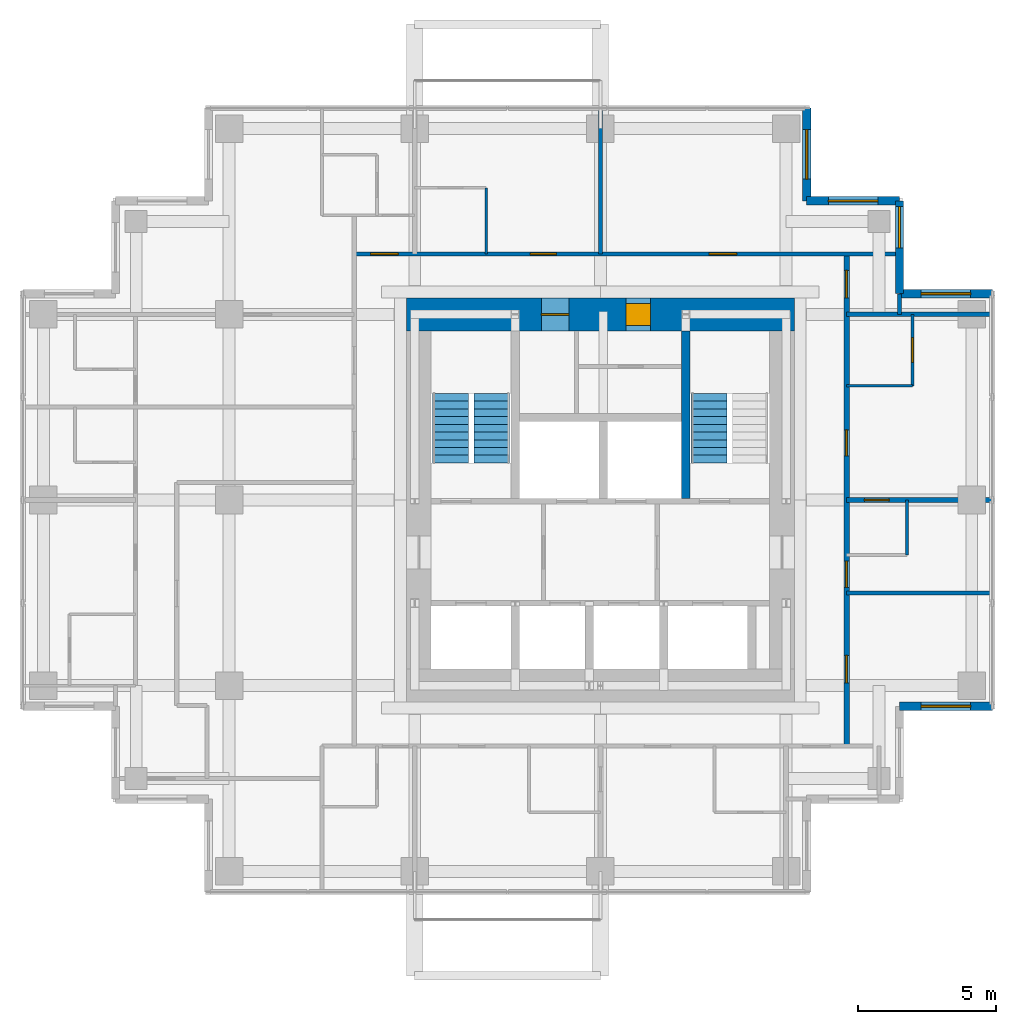
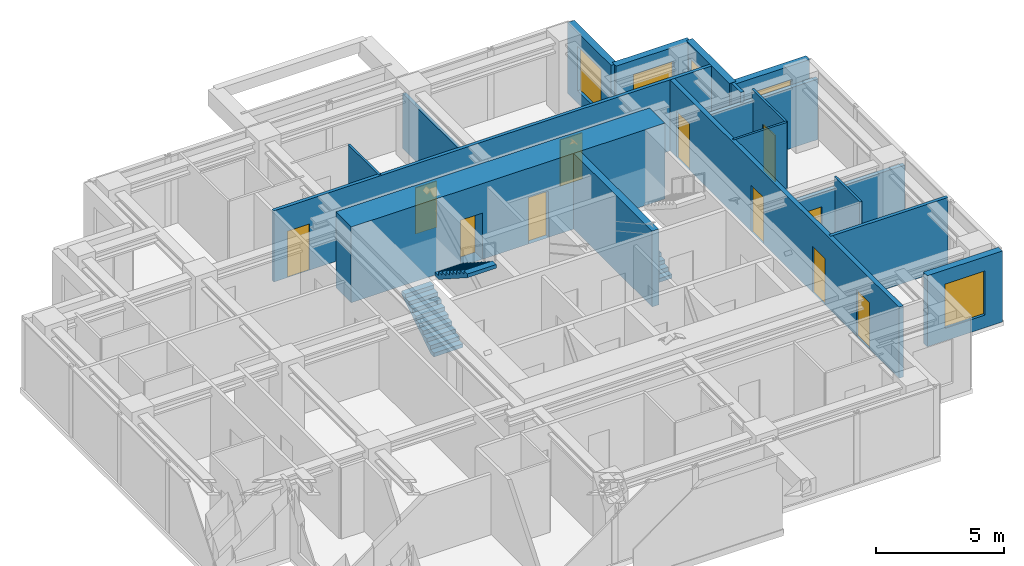
# One storey, part 6 of 8: 18 walls, 11 doors, 5 windows, 3 stair flights, 16 openings, 2 elements without a shape of their own.
"""IFC4 building model written with IfcOpenShell, lengths in metres."""

import ifcopenshell
import ifcopenshell.guid

model = None  # the IFC model being written
_history = None  # IfcOwnerHistory: only IFC2X3 demands one
_inside = {}  # id of a spatial element -> (the spatial element, [elements in it])
_under = {}  # id of a project, library or spatial element -> (it, [spatial elements below it])
_declared = {}  # id of a project -> (the project, [libraries it declares])
_typed = {}  # id of a type object -> (the type object, [elements of that type])
_made_of = {}  # id of a material, layer set ... -> (it, [elements and type objects made of it])


def new_model(schema):
    """Start an empty IFC model of exactly this schema.

    Asked for "IFC4X3", IfcOpenShell would pick the latest addendum, in which some entities
    have other attributes; the version numbers below select the first issue.
    IFC2X3 requires an IfcOwnerHistory on every rooted entity: one is made here for all.
    """
    global model, _history
    if schema == "IFC4X3":
        model = ifcopenshell.file(schema_version=(4, 3, 0, 0))
    else:
        model = ifcopenshell.file(schema=schema)
    _inside.clear()
    _under.clear()
    _declared.clear()
    _typed.clear()
    _made_of.clear()
    _history = None
    if model.schema == "IFC2X3":
        org = make("IfcOrganization", Name="unknown")
        user = make(
            "IfcPersonAndOrganization",
            ThePerson=make("IfcPerson", FamilyName="unknown"),
            TheOrganization=org,
        )
        app = make(
            "IfcApplication",
            ApplicationDeveloper=org,
            Version="unknown",
            ApplicationFullName="unknown",
            ApplicationIdentifier="unknown",
        )
        _history = make(
            "IfcOwnerHistory",
            OwningUser=user,
            OwningApplication=app,
            ChangeAction="ADDED",
            CreationDate=0,
        )
    return model


def make(cls, **values):
    """One entity of the class cls with the attributes given. An attribute that is None is left unset."""
    return model.create_entity(
        cls, **{name: value for name, value in values.items() if value is not None}
    )


def rooted(cls, **values):
    """An entity with a GlobalId (a new one), such as an element, a storey or a relation."""
    return make(cls, GlobalId=ifcopenshell.guid.new(), OwnerHistory=_history, **values)


def si_unit(unit_type, name, prefix=None):
    """IfcSIUnit, for example si_unit("LENGTHUNIT", "METRE", prefix="MILLI")."""
    return make("IfcSIUnit", UnitType=unit_type, Prefix=prefix, Name=name)


def assignment(units):
    """IfcUnitAssignment: the units of a project."""
    return None if units is None else make("IfcUnitAssignment", Units=units)


def point(xyz):
    """IfcCartesianPoint."""
    return None if xyz is None else make("IfcCartesianPoint", Coordinates=xyz)


def direction(xyz):
    """IfcDirection."""
    return None if xyz is None else make("IfcDirection", DirectionRatios=xyz)


def frame(location, z_axis=None, x_axis=None):
    """IfcAxis2Placement3D, a coordinate frame: its origin and axes. An axis left out is left unset."""
    return make(
        "IfcAxis2Placement3D",
        Location=point(location),
        Axis=direction(z_axis),
        RefDirection=direction(x_axis),
    )


def frame_2d(location, x_axis=None):
    """IfcAxis2Placement2D, a coordinate frame in the plane: its origin and x axis."""
    return make(
        "IfcAxis2Placement2D", Location=point(location), RefDirection=direction(x_axis)
    )


def origin():
    """The frame at (0, 0, 0) with its axes left unset."""
    return frame((0.0, 0.0, 0.0))


def place(relative_to, where):
    """IfcLocalPlacement: puts the frame where relative to a parent placement (None: the world)."""
    return make(
        "IfcLocalPlacement", PlacementRelTo=relative_to, RelativePlacement=where
    )


def context(
    kind, dimensions, precision=None, world=None, true_north=None, identifier=None
):
    """IfcGeometricRepresentationContext, for example the 3D "Model" context."""
    return make(
        "IfcGeometricRepresentationContext",
        ContextIdentifier=identifier,
        ContextType=kind,
        CoordinateSpaceDimension=dimensions,
        Precision=precision,
        WorldCoordinateSystem=world,
        TrueNorth=true_north,
    )


def subcontext(parent, identifier, kind, view, scale=None):
    """IfcGeometricRepresentationSubContext, for example "Body" below "Model"."""
    return make(
        "IfcGeometricRepresentationSubContext",
        ContextIdentifier=identifier,
        ContextType=kind,
        ParentContext=parent,
        TargetScale=scale,
        TargetView=view,
    )


def project(units=None, contexts=None):
    """IfcProject with its units and contexts."""
    return rooted(
        "IfcProject",
        Name="project",
        RepresentationContexts=contexts,
        UnitsInContext=assignment(units),
    )


def spatial(cls, under=None, at=None, **own):
    """A site, building, storey or space (cls), placed at a placement, below another one or the project."""
    s = rooted(cls, ObjectPlacement=at, **own)
    if under is not None:
        _under.setdefault(under.id(), (under, []))[1].append(s)
    return s


def polyline(points):
    """IfcPolyline through the points."""
    return make("IfcPolyline", Points=[point(p) for p in points])


def profile(cls, at=None, kind="AREA", **sizes):
    """A parametric profile (cls). Its sizes go by their IFC names, for example OverallWidth=200.0."""
    return make(cls, ProfileType=kind, Position=at, **sizes)


def rectangle(**sizes):
    """IfcRectangleProfileDef."""
    return profile("IfcRectangleProfileDef", **sizes)


def outline(outer, holes=None, kind="AREA"):
    """IfcArbitraryClosedProfileDef: a profile drawn as a closed curve; with holes, ...WithVoids."""
    if holes is None:
        return make("IfcArbitraryClosedProfileDef", ProfileType=kind, OuterCurve=outer)
    return make(
        "IfcArbitraryProfileDefWithVoids",
        ProfileType=kind,
        OuterCurve=outer,
        InnerCurves=holes,
    )


def extrude(swept, where, along, depth):
    """IfcExtrudedAreaSolid: the profile swept, set in the frame where, extruded along a direction by depth."""
    return make(
        "IfcExtrudedAreaSolid",
        SweptArea=swept,
        Position=where,
        ExtrudedDirection=direction(along),
        Depth=depth,
    )


def shape(context_of_items, identifier, shape_type, items):
    """IfcShapeRepresentation: the items that make up one representation, for example the "Body"."""
    return make(
        "IfcShapeRepresentation",
        ContextOfItems=context_of_items,
        RepresentationIdentifier=identifier,
        RepresentationType=shape_type,
        Items=items,
    )


def material(Name=None, Category=None):
    """IfcMaterial."""
    return make("IfcMaterial", Name=Name, Category=Category)


def layer(
    of_material, thickness, ventilated=None, Name=None, Category=None, Priority=None
):
    """IfcMaterialLayer: one layer of a wall or slab, of a material (None: an air gap)."""
    return make(
        "IfcMaterialLayer",
        Material=of_material,
        LayerThickness=thickness,
        IsVentilated=ventilated,
        Name=Name,
        Category=Category,
        Priority=Priority,
    )


def layer_set(layers, Name=None):
    """IfcMaterialLayerSet."""
    return make("IfcMaterialLayerSet", MaterialLayers=layers, LayerSetName=Name)


def made_of(thing, what):
    """Note that an element or type object is made of a material, layer set ...; save() writes the relation."""
    if what is not None:
        _made_of.setdefault(what.id(), (what, []))[1].append(thing)
    return thing


def type_object(cls, material=None, **own):
    """A type object (cls), such as IfcWallType, which elements share."""
    return made_of(rooted(cls, **own), material)


def element(
    cls,
    number,
    at=None,
    inside=None,
    cuts=None,
    type_object=None,
    material=None,
    context=None,
    identifier="Body",
    shape_type=None,
    held_by="IfcProductDefinitionShape",
    body=None,
    shapes=None,
    **own,
):
    """One element of the class cls, such as IfcWall. Its Tag is "e" and its number.

    at: its placement. inside: the storey or other place that contains it. cuts: it is an
    opening in that element (IfcRelVoidsElement). A single representation is given by context,
    identifier, shape_type and body (its items); several are given by shapes. held_by: the class
    of the entity that holds the representations. save() writes the other relations.
    """
    e = rooted(cls, Tag="e%d" % number, ObjectPlacement=at, **own)
    if body is not None:
        shapes = [shape(context, identifier, shape_type, body)]
    if shapes is not None:
        e.Representation = make(held_by, Representations=shapes)
    if inside is not None:
        _inside.setdefault(inside.id(), (inside, []))[1].append(e)
    if cuts is not None:
        rooted(
            "IfcRelVoidsElement", RelatingBuildingElement=cuts, RelatedOpeningElement=e
        )
    if type_object is not None:
        _typed.setdefault(type_object.id(), (type_object, []))[1].append(e)
    return made_of(e, material)


def fill(opening, filler):
    """IfcRelFillsElement: the door or window that sits in an opening."""
    return rooted(
        "IfcRelFillsElement",
        RelatingOpeningElement=opening,
        RelatedBuildingElement=filler,
    )


def aggregate(whole, parts):
    """IfcRelAggregates: a whole, such as a stair, and the parts it consists of."""
    return rooted("IfcRelAggregates", RelatingObject=whole, RelatedObjects=parts)


def save(model, path):
    """Write the relations noted so far, then the file.

    IfcRelAggregates (storeys below a building ...), IfcRelContainedInSpatialStructure (elements
    in a storey), IfcRelDefinesByType, IfcRelAssociatesMaterial and IfcRelDeclares: one each for
    every whole, place, type object, material and project.
    """
    for whole, parts in _under.values():
        aggregate(whole, parts)
    for where, things in _inside.values():
        rooted(
            "IfcRelContainedInSpatialStructure",
            RelatedElements=things,
            RelatingStructure=where,
        )
    for kind, things in _typed.values():
        rooted("IfcRelDefinesByType", RelatedObjects=things, RelatingType=kind)
    for what, things in _made_of.values():
        rooted("IfcRelAssociatesMaterial", RelatedObjects=things, RelatingMaterial=what)
    for by, libraries in _declared.values():
        rooted("IfcRelDeclares", RelatingContext=by, RelatedDefinitions=libraries)
    model.write(path)


model = new_model("IFC4")

# Units and contexts
model_context = context("Model", 3, precision=1e-05, world=origin(), true_north=direction((0.0, 1.0)))
body_context = subcontext(model_context, "Body", "Model", "MODEL_VIEW")
ifc_project = project(units=[si_unit("LENGTHUNIT", "METRE"), si_unit("AREAUNIT", "SQUARE_METRE"), si_unit("VOLUMEUNIT", "CUBIC_METRE"), si_unit("PLANEANGLEUNIT", "RADIAN"), si_unit("MASSUNIT", "GRAM", prefix="KILO")], contexts=[model_context])

# Site, building, storey
site_placement = place(None, origin())
site = spatial("IfcSite", under=ifc_project, at=site_placement, CompositionType="ELEMENT")
building_placement = place(site_placement, origin())
building = spatial("IfcBuilding", under=site, at=building_placement, Name="Nyansa Garden Tower", CompositionType="ELEMENT")
storey_placement = place(building_placement, frame((0.0, 0.0, 229.5)))
storey = spatial("IfcBuildingStorey", under=building, at=storey_placement, Name="L62", CompositionType="ELEMENT", Elevation=229.5)

# Wall, opening, door
ifc_material_1 = material(Name="Dense blockwork, plastered both sides, 55 dB", Category="masonry")
ifc_layer_1 = layer(ifc_material_1, 0.175048828125)
ifc_layer_set_1 = layer_set([ifc_layer_1], Name="Acoustic party wall PW175")
wall_type_1 = type_object("IfcWallType", Name="Acoustic party wall PW175", PredefinedType="PARTITIONING", material=ifc_layer_set_1)
wall_1_placement = place(storey_placement, frame((29.199951171875, 20.25, 0.0), z_axis=(0.0, 0.0, 1.0), x_axis=(1.0, 0.0, 0.0)))
wall_1 = element("IfcWall", 1, at=wall_1_placement, inside=storey, type_object=wall_type_1, Name="Party wall", PredefinedType="PARTITIONING", context=body_context, shape_type="SweptSolid", body=[
    extrude(rectangle(XDim=5.283935546875, YDim=0.175048828125, at=frame_2d((2.64208984375, 0.0))), origin(), (0.0, 0.0, 1.0), 2.876953125),
])
opening_1_placement = place(wall_1_placement, frame((0.64990234375, 0.0, 0.0)))
opening_1 = element("IfcOpeningElement", 2, at=opening_1_placement, cuts=wall_1, Name="Opening D02", PredefinedType="OPENING", context=body_context, shape_type="SweptSolid", body=[
    extrude(rectangle(XDim=0.89990234375, YDim=2.199951171875, at=frame_2d((0.449951171875, 1.10009765625))), frame((0.0, 0.097412109375, 0.0), z_axis=(0.0, -1.0, 0.0), x_axis=(1.0, 0.0, 0.0)), (0.0, 0.0, 1.0), 0.195068359375),
])
ifc_material_2 = material(Name="Timber flush door", Category="wood")
door_type_1 = type_object("IfcDoorType", Name="En-suite door D02 900x2200", OperationType="SINGLE_SWING_RIGHT", PredefinedType="DOOR", material=ifc_material_2)
door_1_placement = place(opening_1_placement, origin())
door_1 = element("IfcDoor", 3, at=door_1_placement, inside=storey, type_object=door_type_1, Name="Door L62-030", OperationType="SINGLE_SWING_RIGHT", OverallHeight=2.199951171875, OverallWidth=0.89990234375, PredefinedType="DOOR", context=body_context, shape_type="SweptSolid", body=[
    extrude(rectangle(XDim=0.89990234375, YDim=2.199951171875, at=frame_2d((0.449951171875, 1.10009765625))), frame((0.0, 0.02490234375, 0.0), z_axis=(0.0, -1.0, 0.0), x_axis=(1.0, 0.0, 0.0)), (0.0, 0.0, 1.0), 0.050048828125),
])
fill(opening_1, door_1)

# Walls
wall_2_placement = place(storey_placement, frame((29.199951171875, 27.0, 0.0), z_axis=(0.0, 0.0, 1.0), x_axis=(1.0, 0.0, 0.0)))
element("IfcWall", 4, at=wall_2_placement, inside=storey, type_object=wall_type_1, Name="Party wall", PredefinedType="PARTITIONING", context=body_context, shape_type="SweptSolid", body=[
    extrude(rectangle(XDim=5.283935546875, YDim=0.175048828125, at=frame_2d((2.64208984375, 0.0))), origin(), (0.0, 0.0, 1.0), 2.876953125),
])
ifc_material_3 = material(Name="Concrete C70/85", Category="concrete")
ifc_layer_2 = layer(ifc_material_3, 0.300048828125)
ifc_layer_set_2 = layer_set([ifc_layer_2], Name="Core inner wall CI300")
wall_type_2 = type_object("IfcWallType", Name="Core inner wall CI300", PredefinedType="SHEAR", material=ifc_layer_set_2)
wall_3_placement = place(storey_placement, frame((23.35009765625, 20.300048828125, 0.0), z_axis=(0.0, 0.0, 1.0), x_axis=(0.0, 1.0, 0.0)))
element("IfcWall", 5, at=wall_3_placement, inside=storey, type_object=wall_type_2, Name="Core inner wall L62", PredefinedType="SHEAR", context=body_context, shape_type="SweptSolid", body=[
    extrude(rectangle(XDim=6.099853515625, YDim=0.300048828125, at=frame_2d((3.0498046875, 0.0))), origin(), (0.0, 0.0, 1.0), 3.60009765625),
])

# Wall, openings, doors
ifc_material_4 = material(Name="Concrete C80/95", Category="concrete")
ifc_layer_3 = layer(ifc_material_4, 1.199951171875)
ifc_layer_set_3 = layer_set([ifc_layer_3], Name="Core wall CW1200")
wall_type_3 = type_object("IfcWallType", Name="Core wall CW1200", PredefinedType="SHEAR", material=ifc_layer_set_3)
wall_4_placement = place(storey_placement, frame((27.300048828125, 27.0, 0.0), z_axis=(0.0, 0.0, 1.0), x_axis=(-1.0, 0.0, 0.0)))
wall_4 = element("IfcWall", 6, at=wall_4_placement, inside=storey, type_object=wall_type_3, Name="Core wall N L62", PredefinedType="SHEAR", context=body_context, shape_type="SweptSolid", body=[
    extrude(rectangle(XDim=14.10009765625, YDim=1.199951171875, at=frame_2d((7.050048828125, 0.0))), origin(), (0.0, 0.0, 1.0), 3.60009765625),
])
opening_2_placement = place(wall_4_placement, frame((5.22509765625, 0.0, 0.0)))
opening_2 = element("IfcOpeningElement", 7, at=opening_2_placement, cuts=wall_4, Name="Opening D15", PredefinedType="OPENING", context=body_context, shape_type="SweptSolid", body=[
    extrude(rectangle(XDim=0.89990234375, YDim=2.199951171875, at=frame_2d((0.449951171875, 1.10009765625))), frame((0.0, 0.60986328125, 0.0), z_axis=(0.0, -1.0, 0.0), x_axis=(1.0, 0.0, 0.0)), (0.0, 0.0, 1.0), 1.219970703125),
])
opening_3_placement = place(wall_4_placement, frame((8.199951171875, 0.0, 0.0)))
opening_3 = element("IfcOpeningElement", 8, at=opening_3_placement, cuts=wall_4, Name="Opening D07", PredefinedType="OPENING", context=body_context, shape_type="SweptSolid", body=[
    extrude(rectangle(XDim=1.0, YDim=2.199951171875, at=frame_2d((0.5, 1.10009765625))), frame((0.0, 0.60986328125, 0.0), z_axis=(0.0, -1.0, 0.0), x_axis=(1.0, 0.0, 0.0)), (0.0, 0.0, 1.0), 1.219970703125),
])
ifc_material_5 = material(Name="Timber flush door, 60 minute fire resisting, self-closing", Category="wood")
door_type_2 = type_object("IfcDoorType", Name="Core room door D15 900x2200", OperationType="SINGLE_SWING_LEFT", PredefinedType="DOOR", material=ifc_material_5)
door_2_placement = place(opening_2_placement, origin())
door_2 = element("IfcDoor", 9, at=door_2_placement, inside=storey, type_object=door_type_2, Name="Core room door", OperationType="SINGLE_SWING_LEFT", OverallHeight=2.199951171875, OverallWidth=0.89990234375, PredefinedType="DOOR", context=body_context, shape_type="SweptSolid", body=[
    extrude(rectangle(XDim=0.89990234375, YDim=2.199951171875, at=frame_2d((0.449951171875, 1.10009765625))), frame((0.0, 0.39990234375, 0.0), z_axis=(0.0, -1.0, 0.0), x_axis=(1.0, 0.0, 0.0)), (0.0, 0.0, 1.0), 0.800048828125),
])
fill(opening_2, door_2)
ifc_material_6 = material(Name="Steel door, 120 minute fire resisting", Category="steel")
door_type_3 = type_object("IfcDoorType", Name="Riser door D07 1000x2200", OperationType="SINGLE_SWING_LEFT", PredefinedType="DOOR", material=ifc_material_6)
door_3_placement = place(opening_3_placement, origin())
door_3 = element("IfcDoor", 10, at=door_3_placement, inside=storey, type_object=door_type_3, Name="Riser and refuse room door", OperationType="SINGLE_SWING_LEFT", OverallHeight=2.199951171875, OverallWidth=1.0, PredefinedType="DOOR", context=body_context, shape_type="SweptSolid", body=[
    extrude(rectangle(XDim=1.0, YDim=2.199951171875, at=frame_2d((0.5, 1.10009765625))), frame((0.0, 0.02490234375, 0.0), z_axis=(0.0, -1.0, 0.0), x_axis=(1.0, 0.0, 0.0)), (0.0, 0.0, 1.0), 0.050048828125),
])
fill(opening_3, door_3)

ifc_material_7 = material(Name="Concrete blockwork, plastered, 60 minute fire resisting", Category="masonry")
ifc_layer_4 = layer(ifc_material_7, 0.199951171875)
ifc_layer_set_4 = layer_set([ifc_layer_4], Name="Corridor wall FW200")
wall_type_4 = type_object("IfcWallType", Name="Corridor wall FW200", PredefinedType="PARTITIONING", material=ifc_layer_set_4)
wall_5_placement = place(storey_placement, frame((29.199951171875, 11.300048828125, 0.0), z_axis=(0.0, 0.0, 1.0), x_axis=(0.0, 1.0, 0.0)))
wall_5 = element("IfcWall", 11, at=wall_5_placement, inside=storey, type_object=wall_type_4, Name="Corridor wall", PredefinedType="PARTITIONING", context=body_context, shape_type="SweptSolid", body=[
    extrude(rectangle(XDim=17.89990234375, YDim=0.199951171875, at=frame_2d((8.949951171875, 0.0))), origin(), (0.0, 0.0, 1.0), 3.375),
])
opening_4_placement = place(wall_5_placement, frame((2.300048828125, 0.0, 0.0)))
opening_4 = element("IfcOpeningElement", 12, at=opening_4_placement, cuts=wall_5, Name="Opening D03", PredefinedType="OPENING", context=body_context, shape_type="SweptSolid", body=[
    extrude(rectangle(XDim=1.0, YDim=2.199951171875, at=frame_2d((0.5, 1.10009765625))), frame((0.0, 0.10986328125, 0.0), z_axis=(0.0, -1.0, 0.0), x_axis=(1.0, 0.0, 0.0)), (0.0, 0.0, 1.0), 0.219970703125),
])
opening_5_placement = place(wall_5_placement, frame((10.550048828125, 0.0, 0.0)))
opening_5 = element("IfcOpeningElement", 13, at=opening_5_placement, cuts=wall_5, Name="Opening D14", PredefinedType="OPENING", context=body_context, shape_type="SweptSolid", body=[
    extrude(rectangle(XDim=0.949951171875, YDim=2.199951171875, at=frame_2d((0.47509765625, 1.10009765625))), frame((0.0, 0.10986328125, 0.0), z_axis=(0.0, -1.0, 0.0), x_axis=(1.0, 0.0, 0.0)), (0.0, 0.0, 1.0), 0.219970703125),
])
opening_6_placement = place(wall_5_placement, frame((5.77490234375, 0.0, 0.0)))
opening_6 = element("IfcOpeningElement", 14, at=opening_6_placement, cuts=wall_5, Name="Opening D14", PredefinedType="OPENING", context=body_context, shape_type="SweptSolid", body=[
    extrude(rectangle(XDim=0.949951171875, YDim=2.199951171875, at=frame_2d((0.47509765625, 1.10009765625))), frame((0.0, 0.10986328125, 0.0), z_axis=(0.0, -1.0, 0.0), x_axis=(1.0, 0.0, 0.0)), (0.0, 0.0, 1.0), 0.219970703125),
])
opening_7_placement = place(wall_5_placement, frame((16.300048828125, 0.0, 0.0)))
opening_7 = element("IfcOpeningElement", 15, at=opening_7_placement, cuts=wall_5, Name="Opening D03", PredefinedType="OPENING", context=body_context, shape_type="SweptSolid", body=[
    extrude(rectangle(XDim=1.0, YDim=2.199951171875, at=frame_2d((0.5, 1.10009765625))), frame((0.0, 0.10986328125, 0.0), z_axis=(0.0, -1.0, 0.0), x_axis=(1.0, 0.0, 0.0)), (0.0, 0.0, 1.0), 0.219970703125),
])
ifc_material_8 = material(Name="Timber flush door, 60 minute fire resisting", Category="wood")
door_type_4 = type_object("IfcDoorType", Name="Cluster entrance door D03 1000x2200", OperationType="SINGLE_SWING_LEFT", PredefinedType="DOOR", material=ifc_material_8)
door_4_placement = place(opening_4_placement, origin())
door_4 = element("IfcDoor", 16, at=door_4_placement, inside=storey, type_object=door_type_4, Name="Door L62-026", OperationType="SINGLE_SWING_LEFT", OverallHeight=2.199951171875, OverallWidth=1.0, PredefinedType="DOOR", context=body_context, shape_type="SweptSolid", body=[
    extrude(rectangle(XDim=1.0, YDim=2.199951171875, at=frame_2d((0.5, 1.10009765625))), frame((0.0, 0.02490234375, 0.0), z_axis=(0.0, -1.0, 0.0), x_axis=(1.0, 0.0, 0.0)), (0.0, 0.0, 1.0), 0.050048828125),
])
fill(opening_4, door_4)
door_5_placement = place(opening_7_placement, origin())
door_5 = element("IfcDoor", 17, at=door_5_placement, inside=storey, type_object=door_type_4, Name="Door L62-031", OperationType="SINGLE_SWING_LEFT", OverallHeight=2.199951171875, OverallWidth=1.0, PredefinedType="DOOR", context=body_context, shape_type="SweptSolid", body=[
    extrude(rectangle(XDim=1.0, YDim=2.199951171875, at=frame_2d((0.5, 1.10009765625))), frame((0.0, 0.02490234375, 0.0), z_axis=(0.0, -1.0, 0.0), x_axis=(1.0, 0.0, 0.0)), (0.0, 0.0, 1.0), 0.050048828125),
])
fill(opening_7, door_5)
ifc_material_9 = material(Name="Timber flush door, 60 minute fire resisting, self-closing", Category="wood")
door_type_5 = type_object("IfcDoorType", Name="Studio entrance door D14 950x2200", OperationType="SINGLE_SWING_LEFT", PredefinedType="DOOR", material=ifc_material_9)
door_6_placement = place(opening_5_placement, origin())
door_6 = element("IfcDoor", 18, at=door_6_placement, inside=storey, type_object=door_type_5, Name="Door L62-027", OperationType="SINGLE_SWING_LEFT", OverallHeight=2.199951171875, OverallWidth=0.949951171875, PredefinedType="DOOR", context=body_context, shape_type="SweptSolid", body=[
    extrude(rectangle(XDim=0.949951171875, YDim=2.199951171875, at=frame_2d((0.47509765625, 1.10009765625))), frame((0.0, 0.02490234375, 0.0), z_axis=(0.0, -1.0, 0.0), x_axis=(1.0, 0.0, 0.0)), (0.0, 0.0, 1.0), 0.050048828125),
])
fill(opening_5, door_6)
door_7_placement = place(opening_6_placement, origin())
door_7 = element("IfcDoor", 19, at=door_7_placement, inside=storey, type_object=door_type_5, Name="Door L62-029", OperationType="SINGLE_SWING_LEFT", OverallHeight=2.199951171875, OverallWidth=0.949951171875, PredefinedType="DOOR", context=body_context, shape_type="SweptSolid", body=[
    extrude(rectangle(XDim=0.949951171875, YDim=2.199951171875, at=frame_2d((0.47509765625, 1.10009765625))), frame((0.0, 0.02490234375, 0.0), z_axis=(0.0, -1.0, 0.0), x_axis=(1.0, 0.0, 0.0)), (0.0, 0.0, 1.0), 0.050048828125),
])
fill(opening_6, door_7)

ifc_material_10 = material(Name="Blockwork, plastered both sides", Category="masonry")
ifc_layer_5 = layer(ifc_material_10, 0.14990234375)
ifc_layer_set_5 = layer_set([ifc_layer_5], Name="Partition PW150")
wall_type_5 = type_object("IfcWallType", Name="Partition PW150", PredefinedType="PARTITIONING", material=ifc_layer_set_5)
wall_6_placement = place(storey_placement, frame((11.300048828125, 29.199951171875, 0.0), z_axis=(0.0, 0.0, 1.0), x_axis=(1.0, 0.0, 0.0)))
wall_6 = element("IfcWall", 20, at=wall_6_placement, inside=storey, type_object=wall_type_5, Name="Partition", PredefinedType="PARTITIONING", context=body_context, shape_type="SweptSolid", body=[
    extrude(rectangle(XDim=19.808837890625, YDim=0.14990234375, at=frame_2d((9.904296875, 0.0))), origin(), (0.0, 0.0, 1.0), 3.375),
])
opening_8_placement = place(wall_6_placement, frame((12.89990234375, 0.0, 0.0)))
opening_8 = element("IfcOpeningElement", 21, at=opening_8_placement, cuts=wall_6, Name="Opening D03", PredefinedType="OPENING", context=body_context, shape_type="SweptSolid", body=[
    extrude(rectangle(XDim=1.0, YDim=2.199951171875, at=frame_2d((0.5, 1.10009765625))), frame((0.0, 0.0849609375, 0.0), z_axis=(0.0, -1.0, 0.0), x_axis=(1.0, 0.0, 0.0)), (0.0, 0.0, 1.0), 0.169921875),
])
opening_9_placement = place(wall_6_placement, frame((6.39990234375, 0.0, 0.0)))
opening_9 = element("IfcOpeningElement", 22, at=opening_9_placement, cuts=wall_6, Name="Opening D14", PredefinedType="OPENING", context=body_context, shape_type="SweptSolid", body=[
    extrude(rectangle(XDim=0.949951171875, YDim=2.199951171875, at=frame_2d((0.47509765625, 1.10009765625))), frame((0.0, 0.0849609375, 0.0), z_axis=(0.0, -1.0, 0.0), x_axis=(1.0, 0.0, 0.0)), (0.0, 0.0, 1.0), 0.169921875),
])
opening_10_placement = place(wall_6_placement, frame((0.60009765625, 0.0, 0.0)))
opening_10 = element("IfcOpeningElement", 23, at=opening_10_placement, cuts=wall_6, Name="Opening D03", PredefinedType="OPENING", context=body_context, shape_type="SweptSolid", body=[
    extrude(rectangle(XDim=1.0, YDim=2.199951171875, at=frame_2d((0.5, 1.10009765625))), frame((0.0, 0.0849609375, 0.0), z_axis=(0.0, -1.0, 0.0), x_axis=(1.0, 0.0, 0.0)), (0.0, 0.0, 1.0), 0.169921875),
])
door_8_placement = place(opening_8_placement, origin())
door_8 = element("IfcDoor", 24, at=door_8_placement, inside=storey, type_object=door_type_4, Name="Door L62-032", OperationType="SINGLE_SWING_LEFT", OverallHeight=2.199951171875, OverallWidth=1.0, PredefinedType="DOOR", context=body_context, shape_type="SweptSolid", body=[
    extrude(rectangle(XDim=1.0, YDim=2.199951171875, at=frame_2d((0.5, 1.10009765625))), frame((0.0, 0.02490234375, 0.0), z_axis=(0.0, -1.0, 0.0), x_axis=(1.0, 0.0, 0.0)), (0.0, 0.0, 1.0), 0.050048828125),
])
fill(opening_8, door_8)
door_9_placement = place(opening_10_placement, origin())
door_9 = element("IfcDoor", 25, at=door_9_placement, inside=storey, type_object=door_type_4, Name="Door L62-037", OperationType="SINGLE_SWING_LEFT", OverallHeight=2.199951171875, OverallWidth=1.0, PredefinedType="DOOR", context=body_context, shape_type="SweptSolid", body=[
    extrude(rectangle(XDim=1.0, YDim=2.199951171875, at=frame_2d((0.5, 1.10009765625))), frame((0.0, 0.02490234375, 0.0), z_axis=(0.0, -1.0, 0.0), x_axis=(1.0, 0.0, 0.0)), (0.0, 0.0, 1.0), 0.050048828125),
])
fill(opening_10, door_9)
door_10_placement = place(opening_9_placement, origin())
door_10 = element("IfcDoor", 26, at=door_10_placement, inside=storey, type_object=door_type_5, Name="Door L62-033", OperationType="SINGLE_SWING_LEFT", OverallHeight=2.199951171875, OverallWidth=0.949951171875, PredefinedType="DOOR", context=body_context, shape_type="SweptSolid", body=[
    extrude(rectangle(XDim=0.949951171875, YDim=2.199951171875, at=frame_2d((0.47509765625, 1.10009765625))), frame((0.0, 0.02490234375, 0.0), z_axis=(0.0, -1.0, 0.0), x_axis=(1.0, 0.0, 0.0)), (0.0, 0.0, 1.0), 0.050048828125),
])
fill(opening_9, door_10)

# Walls
wall_7_placement = place(storey_placement, frame((20.25, 29.199951171875, 0.0), z_axis=(0.0, 0.0, 1.0), x_axis=(0.0, 1.0, 0.0)))
element("IfcWall", 27, at=wall_7_placement, inside=storey, type_object=wall_type_5, Name="Partition", PredefinedType="PARTITIONING", context=body_context, shape_type="SweptSolid", body=[
    extrude(rectangle(XDim=5.283935546875, YDim=0.14990234375, at=frame_2d((2.64208984375, 0.0))), origin(), (0.0, 0.0, 1.0), 2.610107421875),
])
wall_8_placement = place(storey_placement, frame((29.199951171875, 16.875, 0.0), z_axis=(0.0, 0.0, 1.0), x_axis=(1.0, 0.0, 0.0)))
element("IfcWall", 28, at=wall_8_placement, inside=storey, type_object=wall_type_5, Name="Partition", PredefinedType="PARTITIONING", context=body_context, shape_type="SweptSolid", body=[
    extrude(rectangle(XDim=5.283935546875, YDim=0.14990234375, at=frame_2d((2.64208984375, 0.0))), origin(), (0.0, 0.0, 1.0), 3.375),
])
wall_9_placement = place(storey_placement, frame((31.125, 27.0, 0.0), z_axis=(0.0, 0.0, 1.0), x_axis=(0.0, 1.0, 0.0)))
element("IfcWall", 29, at=wall_9_placement, inside=storey, type_object=wall_type_5, Name="Partition", PredefinedType="PARTITIONING", context=body_context, shape_type="SweptSolid", body=[
    extrude(rectangle(XDim=0.73388671875, YDim=0.14990234375, at=frame_2d((0.366943359375, 0.0))), origin(), (0.0, 0.0, 1.0), 3.375),
])

# Wall, opening, window
ifc_material_11 = material(Name="Turquoise glazed tile on concrete blockwork", Category="masonry")
ifc_layer_6 = layer(ifc_material_11, 0.300048828125)
ifc_layer_set_6 = layer_set([ifc_layer_6], Name="Tiled corner wall TW300")
wall_type_6 = type_object("IfcWallType", Name="Tiled corner wall TW300", PredefinedType="SOLIDWALL", material=ifc_layer_set_6)
wall_10_placement = place(storey_placement, frame((34.5, 27.75, 0.0), z_axis=(0.0, 0.0, 1.0), x_axis=(-1.0, 0.0, 0.0)))
wall_10 = element("IfcWall", 30, at=wall_10_placement, inside=storey, type_object=wall_type_6, Name="Tiled corner wall L62", PredefinedType="SOLIDWALL", context=body_context, shape_type="SweptSolid", body=[
    extrude(rectangle(XDim=3.375, YDim=0.300048828125, at=frame_2d((1.6875, 0.0))), origin(), (0.0, 0.0, 1.0), 3.375),
])
opening_11_placement = place(wall_10_placement, frame((0.78759765625, 0.0, 0.60009765625)))
opening_11 = element("IfcOpeningElement", 31, at=opening_11_placement, cuts=wall_10, Name="Opening W2", PredefinedType="OPENING", context=body_context, shape_type="SweptSolid", body=[
    extrude(rectangle(XDim=1.800048828125, YDim=2.10009765625, at=frame_2d((0.89990234375, 1.050048828125))), frame((0.0, 0.159912109375, 0.0), z_axis=(0.0, -1.0, 0.0), x_axis=(1.0, 0.0, 0.0)), (0.0, 0.0, 1.0), 0.320068359375),
])
ifc_material_12 = material(Name="Black aluminium frame, dark tinted double glazing", Category="aluminium")
window_type_1 = type_object("IfcWindowType", Name="Window W2 1800x2100", PartitioningType="SINGLE_PANEL", PredefinedType="WINDOW", material=ifc_material_12)
window_1_placement = place(opening_11_placement, origin())
window_1 = element("IfcWindow", 32, at=window_1_placement, inside=storey, type_object=window_type_1, Name="Corner window L62", OverallHeight=2.10009765625, OverallWidth=1.800048828125, PartitioningType="SINGLE_PANEL", PredefinedType="WINDOW", context=body_context, shape_type="SweptSolid", body=[
    extrude(rectangle(XDim=1.800048828125, YDim=2.10009765625, at=frame_2d((0.89990234375, 1.050048828125))), frame((0.0, 0.030029296875, 0.0), z_axis=(0.0, -1.0, 0.0), x_axis=(1.0, 0.0, 0.0)), (0.0, 0.0, 1.0), 0.06005859375),
])
fill(opening_11, window_1)

wall_11_placement = place(storey_placement, frame((31.125, 27.75, 0.0), z_axis=(0.0, 0.0, 1.0), x_axis=(0.0, 1.0, 0.0)))
wall_11 = element("IfcWall", 33, at=wall_11_placement, inside=storey, type_object=wall_type_6, Name="Tiled corner wall L62", PredefinedType="SOLIDWALL", context=body_context, shape_type="SweptSolid", body=[
    extrude(rectangle(XDim=3.375, YDim=0.300048828125, at=frame_2d((1.6875, 0.0))), origin(), (0.0, 0.0, 1.0), 3.375),
])
opening_12_placement = place(wall_11_placement, frame((1.66259765625, 0.0, 0.89990234375)))
opening_12 = element("IfcOpeningElement", 34, at=opening_12_placement, cuts=wall_11, Name="Opening W1", PredefinedType="OPENING", context=body_context, shape_type="SweptSolid", body=[
    extrude(rectangle(XDim=1.5, YDim=1.800048828125, at=frame_2d((0.75, 0.89990234375))), frame((0.0, 0.159912109375, 0.0), z_axis=(0.0, -1.0, 0.0), x_axis=(1.0, 0.0, 0.0)), (0.0, 0.0, 1.0), 0.320068359375),
])
ifc_material_13 = material(Name="Black aluminium frame, dark tinted double glazing", Category="aluminium")
window_type_2 = type_object("IfcWindowType", Name="Window W1 1500x1800", PartitioningType="SINGLE_PANEL", PredefinedType="WINDOW", material=ifc_material_13)
window_2_placement = place(opening_12_placement, origin())
window_2 = element("IfcWindow", 35, at=window_2_placement, inside=storey, type_object=window_type_2, Name="Corner window L62", OverallHeight=1.800048828125, OverallWidth=1.5, PartitioningType="SINGLE_PANEL", PredefinedType="WINDOW", context=body_context, shape_type="SweptSolid", body=[
    extrude(rectangle(XDim=1.5, YDim=1.800048828125, at=frame_2d((0.75, 0.89990234375))), frame((0.0, 0.030029296875, 0.0), z_axis=(0.0, -1.0, 0.0), x_axis=(1.0, 0.0, 0.0)), (0.0, 0.0, 1.0), 0.06005859375),
])
fill(opening_12, window_2)

wall_12_placement = place(storey_placement, frame((31.125, 31.125, 0.0), z_axis=(0.0, 0.0, 1.0), x_axis=(-1.0, 0.0, 0.0)))
wall_12 = element("IfcWall", 36, at=wall_12_placement, inside=storey, type_object=wall_type_6, Name="Tiled corner wall L62", PredefinedType="SOLIDWALL", context=body_context, shape_type="SweptSolid", body=[
    extrude(rectangle(XDim=3.375, YDim=0.300048828125, at=frame_2d((1.6875, 0.0))), origin(), (0.0, 0.0, 1.0), 3.375),
])
opening_13_placement = place(wall_12_placement, frame((0.78759765625, 0.0, 0.60009765625)))
opening_13 = element("IfcOpeningElement", 37, at=opening_13_placement, cuts=wall_12, Name="Opening W2", PredefinedType="OPENING", context=body_context, shape_type="SweptSolid", body=[
    extrude(rectangle(XDim=1.800048828125, YDim=2.10009765625, at=frame_2d((0.89990234375, 1.050048828125))), frame((0.0, 0.159912109375, 0.0), z_axis=(0.0, -1.0, 0.0), x_axis=(1.0, 0.0, 0.0)), (0.0, 0.0, 1.0), 0.320068359375),
])
window_3_placement = place(opening_13_placement, origin())
window_3 = element("IfcWindow", 38, at=window_3_placement, inside=storey, type_object=window_type_1, Name="Corner window L62", OverallHeight=2.10009765625, OverallWidth=1.800048828125, PartitioningType="SINGLE_PANEL", PredefinedType="WINDOW", context=body_context, shape_type="SweptSolid", body=[
    extrude(rectangle(XDim=1.800048828125, YDim=2.10009765625, at=frame_2d((0.89990234375, 1.050048828125))), frame((0.0, 0.030029296875, 0.0), z_axis=(0.0, -1.0, 0.0), x_axis=(1.0, 0.0, 0.0)), (0.0, 0.0, 1.0), 0.06005859375),
])
fill(opening_13, window_3)

wall_13_placement = place(storey_placement, frame((27.75, 31.125, 0.0), z_axis=(0.0, 0.0, 1.0), x_axis=(0.0, 1.0, 0.0)))
wall_13 = element("IfcWall", 39, at=wall_13_placement, inside=storey, type_object=wall_type_6, Name="Tiled corner wall L62", PredefinedType="SOLIDWALL", context=body_context, shape_type="SweptSolid", body=[
    extrude(rectangle(XDim=3.375, YDim=0.300048828125, at=frame_2d((1.6875, 0.0))), origin(), (0.0, 0.0, 1.0), 3.375),
])
opening_14_placement = place(wall_13_placement, frame((0.78759765625, 0.0, 0.60009765625)))
opening_14 = element("IfcOpeningElement", 40, at=opening_14_placement, cuts=wall_13, Name="Opening W2", PredefinedType="OPENING", context=body_context, shape_type="SweptSolid", body=[
    extrude(rectangle(XDim=1.800048828125, YDim=2.10009765625, at=frame_2d((0.89990234375, 1.050048828125))), frame((0.0, 0.159912109375, 0.0), z_axis=(0.0, -1.0, 0.0), x_axis=(1.0, 0.0, 0.0)), (0.0, 0.0, 1.0), 0.320068359375),
])
window_4_placement = place(opening_14_placement, origin())
window_4 = element("IfcWindow", 41, at=window_4_placement, inside=storey, type_object=window_type_1, Name="Corner window L62", OverallHeight=2.10009765625, OverallWidth=1.800048828125, PartitioningType="SINGLE_PANEL", PredefinedType="WINDOW", context=body_context, shape_type="SweptSolid", body=[
    extrude(rectangle(XDim=1.800048828125, YDim=2.10009765625, at=frame_2d((0.89990234375, 1.050048828125))), frame((0.0, 0.030029296875, 0.0), z_axis=(0.0, -1.0, 0.0), x_axis=(1.0, 0.0, 0.0)), (0.0, 0.0, 1.0), 0.06005859375),
])
fill(opening_14, window_4)

wall_14_placement = place(storey_placement, frame((31.125, 12.75, 0.0), z_axis=(0.0, 0.0, 1.0), x_axis=(1.0, 0.0, 0.0)))
wall_14 = element("IfcWall", 42, at=wall_14_placement, inside=storey, type_object=wall_type_6, Name="Tiled corner wall L62", PredefinedType="SOLIDWALL", context=body_context, shape_type="SweptSolid", body=[
    extrude(rectangle(XDim=3.375, YDim=0.300048828125, at=frame_2d((1.6875, 0.0))), origin(), (0.0, 0.0, 1.0), 3.375),
])
opening_15_placement = place(wall_14_placement, frame((0.78759765625, 0.0, 0.60009765625)))
opening_15 = element("IfcOpeningElement", 43, at=opening_15_placement, cuts=wall_14, Name="Opening W2", PredefinedType="OPENING", context=body_context, shape_type="SweptSolid", body=[
    extrude(rectangle(XDim=1.800048828125, YDim=2.10009765625, at=frame_2d((0.89990234375, 1.050048828125))), frame((0.0, 0.159912109375, 0.0), z_axis=(0.0, -1.0, 0.0), x_axis=(1.0, 0.0, 0.0)), (0.0, 0.0, 1.0), 0.320068359375),
])
window_5_placement = place(opening_15_placement, origin())
window_5 = element("IfcWindow", 44, at=window_5_placement, inside=storey, type_object=window_type_1, Name="Corner window L62", OverallHeight=2.10009765625, OverallWidth=1.800048828125, PartitioningType="SINGLE_PANEL", PredefinedType="WINDOW", context=body_context, shape_type="SweptSolid", body=[
    extrude(rectangle(XDim=1.800048828125, YDim=2.10009765625, at=frame_2d((0.89990234375, 1.050048828125))), frame((0.0, 0.030029296875, 0.0), z_axis=(0.0, -1.0, 0.0), x_axis=(1.0, 0.0, 0.0)), (0.0, 0.0, 1.0), 0.06005859375),
])
fill(opening_15, window_5)

# Walls
ifc_material_14 = material(Name="Moisture resistant board on steel studs, tiled", Category="steel")
ifc_layer_7 = layer(ifc_material_14, 0.10009765625)
ifc_layer_set_7 = layer_set([ifc_layer_7], Name="Wet wall PW100")
wall_type_7 = type_object("IfcWallType", Name="Wet wall PW100", PredefinedType="PARTITIONING", material=ifc_layer_set_7)
for number, where, z_axis, x_axis, name in (
    (45, (16.10009765625, 29.199951171875, 0.0), (0.0, 0.0, 1.0), (0.0, 1.0, 0.0), "Wet wall"),
    (46, (29.199951171875, 24.39990234375, 0.0), (0.0, 0.0, 1.0), (1.0, 0.0, 0.0), "Wet wall"),
):
    element("IfcWall", number, at=place(storey_placement, frame(where, z_axis=z_axis, x_axis=x_axis)), inside=storey, type_object=wall_type_7, Name=name, PredefinedType="PARTITIONING", context=body_context, shape_type="SweptSolid", body=[
        extrude(rectangle(XDim=2.400146484375, YDim=0.10009765625, at=frame_2d((1.2001953125, 0.0))), origin(), (0.0, 0.0, 1.0), 3.375),
    ])
wall_15_placement = place(storey_placement, frame((31.39990234375, 18.25, 0.0), z_axis=(0.0, 0.0, 1.0), x_axis=(0.0, 1.0, 0.0)))
element("IfcWall", 47, at=wall_15_placement, inside=storey, type_object=wall_type_7, Name="Wet wall", PredefinedType="PARTITIONING", context=body_context, shape_type="SweptSolid", body=[
    extrude(rectangle(XDim=2.0, YDim=0.10009765625, at=frame_2d((1.0, 0.0))), origin(), (0.0, 0.0, 1.0), 3.375),
])

# Wall, opening, door
wall_16_placement = place(storey_placement, frame((31.60009765625, 24.39990234375, 0.0), z_axis=(0.0, 0.0, 1.0), x_axis=(0.0, 1.0, 0.0)))
wall_16 = element("IfcWall", 48, at=wall_16_placement, inside=storey, type_object=wall_type_7, Name="Wet wall", PredefinedType="PARTITIONING", context=body_context, shape_type="SweptSolid", body=[
    extrude(rectangle(XDim=2.60009765625, YDim=0.10009765625, at=frame_2d((1.300048828125, 0.0))), origin(), (0.0, 0.0, 1.0), 3.375),
])
opening_16_placement = place(wall_16_placement, frame((0.85009765625, 0.0, 0.0)))
opening_16 = element("IfcOpeningElement", 49, at=opening_16_placement, cuts=wall_16, Name="Opening D02", PredefinedType="OPENING", context=body_context, shape_type="SweptSolid", body=[
    extrude(rectangle(XDim=0.89990234375, YDim=2.199951171875, at=frame_2d((0.449951171875, 1.10009765625))), frame((0.0, 0.06005859375, 0.0), z_axis=(0.0, -1.0, 0.0), x_axis=(1.0, 0.0, 0.0)), (0.0, 0.0, 1.0), 0.1201171875),
])
door_11_placement = place(opening_16_placement, origin())
door_11 = element("IfcDoor", 50, at=door_11_placement, inside=storey, type_object=door_type_1, Name="Door L62-028", OperationType="SINGLE_SWING_RIGHT", OverallHeight=2.199951171875, OverallWidth=0.89990234375, PredefinedType="DOOR", context=body_context, shape_type="SweptSolid", body=[
    extrude(rectangle(XDim=0.89990234375, YDim=2.199951171875, at=frame_2d((0.449951171875, 1.10009765625))), frame((0.0, 0.02490234375, 0.0), z_axis=(0.0, -1.0, 0.0), x_axis=(1.0, 0.0, 0.0)), (0.0, 0.0, 1.0), 0.050048828125),
])
fill(opening_16, door_11)

# Stair, stair flights
ifc_material_15 = material(Name="Precast concrete C40/50", Category="concrete")
stair_type_1 = type_object("IfcStairType", Name="Stair S1 180x280", PredefinedType="HALF_TURN_STAIR", material=ifc_material_15)
stair_1_placement = place(storey_placement, origin())
stair_1 = element("IfcStair", 51, at=stair_1_placement, inside=storey, type_object=stair_type_1, Name="Stair S1 L62", PredefinedType="HALF_TURN_STAIR")
ifc_material_16 = material(Name="Precast concrete C40/50", Category="concrete")
stair_flight_type_1 = type_object("IfcStairFlightType", Name="Stair flight S1 180x280x10", PredefinedType="STRAIGHT", material=ifc_material_16)
stair_flight_1_placement = place(storey_placement, frame((14.800048828125, 21.60009765625, 0.0), z_axis=(0.0, 0.0, 1.0), x_axis=(0.0, 1.0, 0.0)))
stair_flight_1 = element("IfcStairFlight", 52, at=stair_flight_1_placement, type_object=stair_flight_type_1, Name="S1 flight 1", NumberOfRisers=10, NumberOfTreads=9, PredefinedType="STRAIGHT", RiserHeight=0.18, TreadLength=0.28, context=body_context, shape_type="SweptSolid", body=[
    extrude(outline(polyline([(0.0, 0.0), (0.0, 0.179931640625), (0.280029296875, 0.179931640625), (0.280029296875, 0.360107421875), (0.56005859375, 0.360107421875), (0.56005859375, 0.5400390625), (0.840087890625, 0.5400390625), (0.840087890625, 0.719970703125), (1.1201171875, 0.719970703125), (1.1201171875, 0.89990234375), (1.39990234375, 0.89990234375), (1.39990234375, 1.080078125), (1.679931640625, 1.080078125), (1.679931640625, 1.260009765625), (1.9599609375, 1.260009765625), (1.9599609375, 1.43994140625), (2.239990234375, 1.43994140625), (2.239990234375, 1.6201171875), (2.52001953125, 1.6201171875), (2.52001953125, 1.800048828125), (2.52001953125, 1.44189453125), (0.277099609375, 0.0), (0.0, 0.0)])), frame((0.0, 0.64990234375, 0.0), z_axis=(0.0, -1.0, 0.0), x_axis=(1.0, 0.0, 0.0)), (0.0, 0.0, 1.0), 1.300048828125),
])
stair_flight_2_placement = place(storey_placement, frame((16.300048828125, 24.1201171875, 1.800048828125), z_axis=(0.0, 0.0, 1.0), x_axis=(0.0, -1.0, 0.0)))
stair_flight_2 = element("IfcStairFlight", 53, at=stair_flight_2_placement, type_object=stair_flight_type_1, Name="S1 flight 2", NumberOfRisers=10, NumberOfTreads=9, PredefinedType="STRAIGHT", RiserHeight=0.18, TreadLength=0.28, context=body_context, shape_type="SweptSolid", body=[
    extrude(outline(polyline([(0.0, 0.0), (0.0, 0.179931640625), (0.280029296875, 0.179931640625), (0.280029296875, 0.360107421875), (0.56005859375, 0.360107421875), (0.56005859375, 0.5400390625), (0.840087890625, 0.5400390625), (0.840087890625, 0.719970703125), (1.1201171875, 0.719970703125), (1.1201171875, 0.89990234375), (1.39990234375, 0.89990234375), (1.39990234375, 1.080078125), (1.679931640625, 1.080078125), (1.679931640625, 1.260009765625), (1.9599609375, 1.260009765625), (1.9599609375, 1.43994140625), (2.239990234375, 1.43994140625), (2.239990234375, 1.6201171875), (2.52001953125, 1.6201171875), (2.52001953125, 1.800048828125), (2.52001953125, 1.44189453125), (0.277099609375, 0.0), (0.0, 0.0)])), frame((0.0, 0.64990234375, 0.0), z_axis=(0.0, -1.0, 0.0), x_axis=(1.0, 0.0, 0.0)), (0.0, 0.0, 1.0), 1.300048828125),
])
aggregate(stair_1, [stair_flight_1, stair_flight_2])

# Stair, stair flight
ifc_material_17 = material(Name="Precast concrete C40/50", Category="concrete")
stair_type_2 = type_object("IfcStairType", Name="Stair S2 180x280", PredefinedType="HALF_TURN_STAIR", material=ifc_material_17)
stair_2_placement = place(storey_placement, origin())
stair_2 = element("IfcStair", 54, at=stair_2_placement, inside=storey, type_object=stair_type_2, Name="Stair S2 L62", PredefinedType="HALF_TURN_STAIR")
ifc_material_18 = material(Name="Precast concrete C40/50", Category="concrete")
stair_flight_type_2 = type_object("IfcStairFlightType", Name="Stair flight S2 180x280x10", PredefinedType="STRAIGHT", material=ifc_material_18)
stair_flight_3_placement = place(storey_placement, frame((24.199951171875, 21.60009765625, 0.0), z_axis=(0.0, 0.0, 1.0), x_axis=(0.0, 1.0, 0.0)))
stair_flight_3 = element("IfcStairFlight", 55, at=stair_flight_3_placement, type_object=stair_flight_type_2, Name="S2 flight 1", NumberOfRisers=10, NumberOfTreads=9, PredefinedType="STRAIGHT", RiserHeight=0.18, TreadLength=0.28, context=body_context, shape_type="SweptSolid", body=[
    extrude(outline(polyline([(0.0, 0.0), (0.0, 0.179931640625), (0.280029296875, 0.179931640625), (0.280029296875, 0.360107421875), (0.56005859375, 0.360107421875), (0.56005859375, 0.5400390625), (0.840087890625, 0.5400390625), (0.840087890625, 0.719970703125), (1.1201171875, 0.719970703125), (1.1201171875, 0.89990234375), (1.39990234375, 0.89990234375), (1.39990234375, 1.080078125), (1.679931640625, 1.080078125), (1.679931640625, 1.260009765625), (1.9599609375, 1.260009765625), (1.9599609375, 1.43994140625), (2.239990234375, 1.43994140625), (2.239990234375, 1.6201171875), (2.52001953125, 1.6201171875), (2.52001953125, 1.800048828125), (2.52001953125, 1.44189453125), (0.277099609375, 0.0), (0.0, 0.0)])), frame((0.0, 0.64990234375, 0.0), z_axis=(0.0, -1.0, 0.0), x_axis=(1.0, 0.0, 0.0)), (0.0, 0.0, 1.0), 1.300048828125),
])
aggregate(stair_2, [stair_flight_3])

save(model, "model.ifc")
